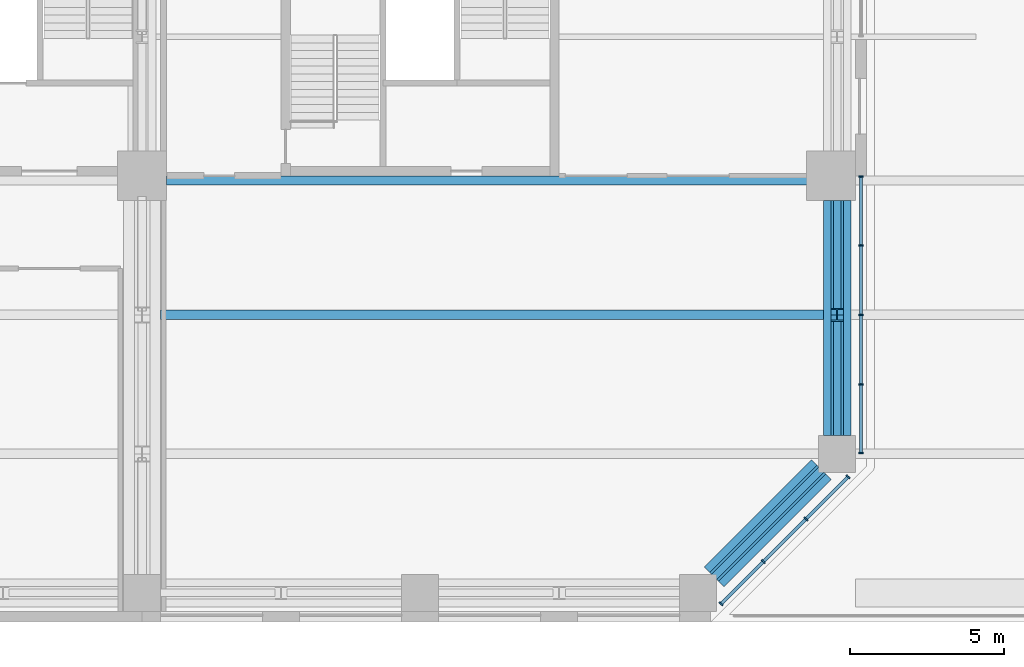
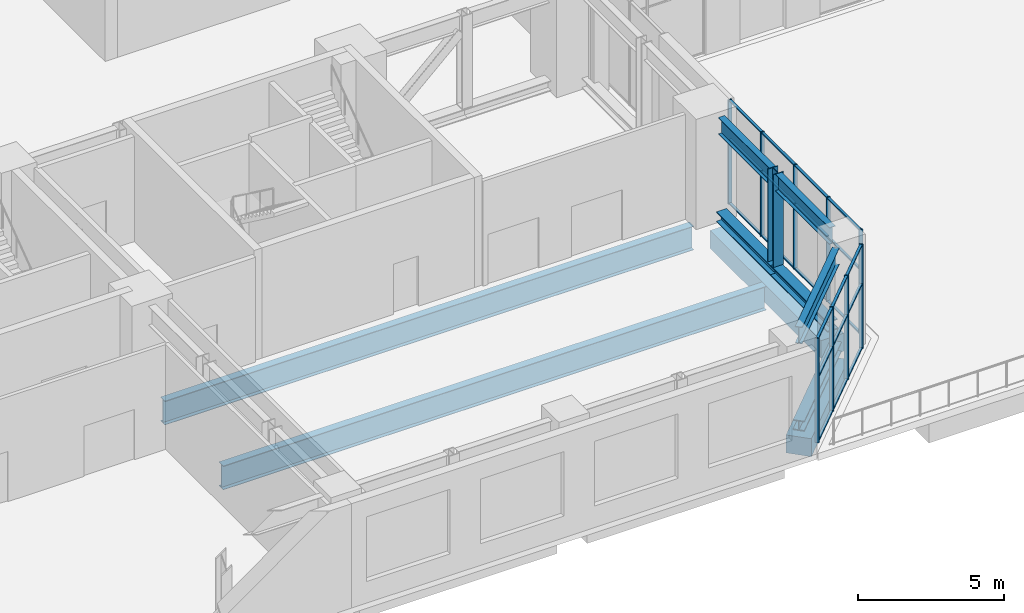
# One storey, part 4 of 21: 34 members, 7 beams, 2 elements without a shape of their own.
"""IFC4 building model written with IfcOpenShell, lengths in metres."""

import ifcopenshell
import ifcopenshell.guid

model = None  # the IFC model being written
_history = None  # IfcOwnerHistory: only IFC2X3 demands one
_inside = {}  # id of a spatial element -> (the spatial element, [elements in it])
_under = {}  # id of a project, library or spatial element -> (it, [spatial elements below it])
_declared = {}  # id of a project -> (the project, [libraries it declares])
_typed = {}  # id of a type object -> (the type object, [elements of that type])
_made_of = {}  # id of a material, layer set ... -> (it, [elements and type objects made of it])


def new_model(schema):
    """Start an empty IFC model of exactly this schema.

    Asked for "IFC4X3", IfcOpenShell would pick the latest addendum, in which some entities
    have other attributes; the version numbers below select the first issue.
    IFC2X3 requires an IfcOwnerHistory on every rooted entity: one is made here for all.
    """
    global model, _history
    if schema == "IFC4X3":
        model = ifcopenshell.file(schema_version=(4, 3, 0, 0))
    else:
        model = ifcopenshell.file(schema=schema)
    _inside.clear()
    _under.clear()
    _declared.clear()
    _typed.clear()
    _made_of.clear()
    _history = None
    if model.schema == "IFC2X3":
        org = make("IfcOrganization", Name="unknown")
        user = make(
            "IfcPersonAndOrganization",
            ThePerson=make("IfcPerson", FamilyName="unknown"),
            TheOrganization=org,
        )
        app = make(
            "IfcApplication",
            ApplicationDeveloper=org,
            Version="unknown",
            ApplicationFullName="unknown",
            ApplicationIdentifier="unknown",
        )
        _history = make(
            "IfcOwnerHistory",
            OwningUser=user,
            OwningApplication=app,
            ChangeAction="ADDED",
            CreationDate=0,
        )
    return model


def make(cls, **values):
    """One entity of the class cls with the attributes given. An attribute that is None is left unset."""
    return model.create_entity(
        cls, **{name: value for name, value in values.items() if value is not None}
    )


def rooted(cls, **values):
    """An entity with a GlobalId (a new one), such as an element, a storey or a relation."""
    return make(cls, GlobalId=ifcopenshell.guid.new(), OwnerHistory=_history, **values)


def si_unit(unit_type, name, prefix=None):
    """IfcSIUnit, for example si_unit("LENGTHUNIT", "METRE", prefix="MILLI")."""
    return make("IfcSIUnit", UnitType=unit_type, Prefix=prefix, Name=name)


def assignment(units):
    """IfcUnitAssignment: the units of a project."""
    return None if units is None else make("IfcUnitAssignment", Units=units)


def point(xyz):
    """IfcCartesianPoint."""
    return None if xyz is None else make("IfcCartesianPoint", Coordinates=xyz)


def direction(xyz):
    """IfcDirection."""
    return None if xyz is None else make("IfcDirection", DirectionRatios=xyz)


def frame(location, z_axis=None, x_axis=None):
    """IfcAxis2Placement3D, a coordinate frame: its origin and axes. An axis left out is left unset."""
    return make(
        "IfcAxis2Placement3D",
        Location=point(location),
        Axis=direction(z_axis),
        RefDirection=direction(x_axis),
    )


def frame_2d(location, x_axis=None):
    """IfcAxis2Placement2D, a coordinate frame in the plane: its origin and x axis."""
    return make(
        "IfcAxis2Placement2D", Location=point(location), RefDirection=direction(x_axis)
    )


def origin():
    """The frame at (0, 0, 0) with its axes left unset."""
    return frame((0.0, 0.0, 0.0))


def origin_2d():
    """The frame at (0, 0) in the plane with its x axis left unset."""
    return frame_2d((0.0, 0.0))


def place(relative_to, where):
    """IfcLocalPlacement: puts the frame where relative to a parent placement (None: the world)."""
    return make(
        "IfcLocalPlacement", PlacementRelTo=relative_to, RelativePlacement=where
    )


def context(
    kind, dimensions, precision=None, world=None, true_north=None, identifier=None
):
    """IfcGeometricRepresentationContext, for example the 3D "Model" context."""
    return make(
        "IfcGeometricRepresentationContext",
        ContextIdentifier=identifier,
        ContextType=kind,
        CoordinateSpaceDimension=dimensions,
        Precision=precision,
        WorldCoordinateSystem=world,
        TrueNorth=true_north,
    )


def subcontext(parent, identifier, kind, view, scale=None):
    """IfcGeometricRepresentationSubContext, for example "Body" below "Model"."""
    return make(
        "IfcGeometricRepresentationSubContext",
        ContextIdentifier=identifier,
        ContextType=kind,
        ParentContext=parent,
        TargetScale=scale,
        TargetView=view,
    )


def project(units=None, contexts=None):
    """IfcProject with its units and contexts."""
    return rooted(
        "IfcProject",
        Name="project",
        RepresentationContexts=contexts,
        UnitsInContext=assignment(units),
    )


def spatial(cls, under=None, at=None, **own):
    """A site, building, storey or space (cls), placed at a placement, below another one or the project."""
    s = rooted(cls, ObjectPlacement=at, **own)
    if under is not None:
        _under.setdefault(under.id(), (under, []))[1].append(s)
    return s


def profile(cls, at=None, kind="AREA", **sizes):
    """A parametric profile (cls). Its sizes go by their IFC names, for example OverallWidth=200.0."""
    return make(cls, ProfileType=kind, Position=at, **sizes)


def rectangle(**sizes):
    """IfcRectangleProfileDef."""
    return profile("IfcRectangleProfileDef", **sizes)


def i_section(**sizes):
    """IfcIShapeProfileDef."""
    return profile("IfcIShapeProfileDef", **sizes)


def extrude(swept, where, along, depth):
    """IfcExtrudedAreaSolid: the profile swept, set in the frame where, extruded along a direction by depth."""
    return make(
        "IfcExtrudedAreaSolid",
        SweptArea=swept,
        Position=where,
        ExtrudedDirection=direction(along),
        Depth=depth,
    )


def shape(context_of_items, identifier, shape_type, items):
    """IfcShapeRepresentation: the items that make up one representation, for example the "Body"."""
    return make(
        "IfcShapeRepresentation",
        ContextOfItems=context_of_items,
        RepresentationIdentifier=identifier,
        RepresentationType=shape_type,
        Items=items,
    )


def material(Name=None, Category=None):
    """IfcMaterial."""
    return make("IfcMaterial", Name=Name, Category=Category)


def constituent(of_material, Name=None, Category=None, fraction=None):
    """IfcMaterialConstituent: one of the materials an element consists of."""
    return make(
        "IfcMaterialConstituent",
        Name=Name,
        Material=of_material,
        Fraction=fraction,
        Category=Category,
    )


def constituent_set(constituents=None, Name=None):
    """IfcMaterialConstituentSet."""
    return make(
        "IfcMaterialConstituentSet", Name=Name, MaterialConstituents=constituents
    )


def material_profile(
    of_material, cross_section, Name=None, Category=None, Priority=None
):
    """IfcMaterialProfile: a cross section and its material."""
    return make(
        "IfcMaterialProfile",
        Name=Name,
        Material=of_material,
        Profile=cross_section,
        Priority=Priority,
        Category=Category,
    )


def profile_set(profiles, Name=None, composite=None):
    """IfcMaterialProfileSet."""
    return make(
        "IfcMaterialProfileSet",
        Name=Name,
        MaterialProfiles=profiles,
        CompositeProfile=composite,
    )


def made_of(thing, what):
    """Note that an element or type object is made of a material, layer set ...; save() writes the relation."""
    if what is not None:
        _made_of.setdefault(what.id(), (what, []))[1].append(thing)
    return thing


def type_object(cls, material=None, **own):
    """A type object (cls), such as IfcWallType, which elements share."""
    return made_of(rooted(cls, **own), material)


def element(
    cls,
    number,
    at=None,
    inside=None,
    cuts=None,
    type_object=None,
    material=None,
    context=None,
    identifier="Body",
    shape_type=None,
    held_by="IfcProductDefinitionShape",
    body=None,
    shapes=None,
    **own,
):
    """One element of the class cls, such as IfcWall. Its Tag is "e" and its number.

    at: its placement. inside: the storey or other place that contains it. cuts: it is an
    opening in that element (IfcRelVoidsElement). A single representation is given by context,
    identifier, shape_type and body (its items); several are given by shapes. held_by: the class
    of the entity that holds the representations. save() writes the other relations.
    """
    e = rooted(cls, Tag="e%d" % number, ObjectPlacement=at, **own)
    if body is not None:
        shapes = [shape(context, identifier, shape_type, body)]
    if shapes is not None:
        e.Representation = make(held_by, Representations=shapes)
    if inside is not None:
        _inside.setdefault(inside.id(), (inside, []))[1].append(e)
    if cuts is not None:
        rooted(
            "IfcRelVoidsElement", RelatingBuildingElement=cuts, RelatedOpeningElement=e
        )
    if type_object is not None:
        _typed.setdefault(type_object.id(), (type_object, []))[1].append(e)
    return made_of(e, material)


def aggregate(whole, parts):
    """IfcRelAggregates: a whole, such as a stair, and the parts it consists of."""
    return rooted("IfcRelAggregates", RelatingObject=whole, RelatedObjects=parts)


def save(model, path):
    """Write the relations noted so far, then the file.

    IfcRelAggregates (storeys below a building ...), IfcRelContainedInSpatialStructure (elements
    in a storey), IfcRelDefinesByType, IfcRelAssociatesMaterial and IfcRelDeclares: one each for
    every whole, place, type object, material and project.
    """
    for whole, parts in _under.values():
        aggregate(whole, parts)
    for where, things in _inside.values():
        rooted(
            "IfcRelContainedInSpatialStructure",
            RelatedElements=things,
            RelatingStructure=where,
        )
    for kind, things in _typed.values():
        rooted("IfcRelDefinesByType", RelatedObjects=things, RelatingType=kind)
    for what, things in _made_of.values():
        rooted("IfcRelAssociatesMaterial", RelatedObjects=things, RelatingMaterial=what)
    for by, libraries in _declared.values():
        rooted("IfcRelDeclares", RelatingContext=by, RelatedDefinitions=libraries)
    model.write(path)


model = new_model("IFC4")

# Units and contexts
model_context = context("Model", 3, precision=1e-05, world=origin(), true_north=direction((0.0, 1.0)))
body_context = subcontext(model_context, "Body", "Model", "MODEL_VIEW")
ifc_project = project(units=[si_unit("LENGTHUNIT", "METRE"), si_unit("AREAUNIT", "SQUARE_METRE"), si_unit("VOLUMEUNIT", "CUBIC_METRE"), si_unit("PLANEANGLEUNIT", "RADIAN"), si_unit("MASSUNIT", "GRAM", prefix="KILO")], contexts=[model_context])

# Site, building, storey
site_placement = place(None, origin())
site = spatial("IfcSite", under=ifc_project, at=site_placement, CompositionType="ELEMENT")
building_placement = place(site_placement, origin())
building = spatial("IfcBuilding", under=site, at=building_placement, Name="Quoin Convention Tower", CompositionType="ELEMENT")
storey_placement = place(building_placement, frame((0.0, 0.0, 18.5)))
storey = spatial("IfcBuildingStorey", under=building, at=storey_placement, Name="L03", CompositionType="ELEMENT", Elevation=18.5)

# Beams
ifc_material_1 = material(Name="Steel Grade 300", Category="steel")
ifc_material_profile_1 = material_profile(ifc_material_1, i_section(OverallWidth=0.300048828125, OverallDepth=1.0, WebThickness=0.01611328125, FlangeThickness=0.02001953125, at=origin_2d()), Name="1000WB215")
ifc_profile_set_1 = profile_set([ifc_material_profile_1], Name="Steel Grade 300")
beam_type_1 = type_object("IfcBeamType", Name="1000WB215", PredefinedType="BEAM", material=ifc_profile_set_1)
beam_1_placement = place(storey_placement, frame((36.60009765625, 27.0, -0.719970703125), z_axis=(1.0, 0.0, 0.0), x_axis=(0.0, 1.0, 0.0)))
element("IfcBeam", 1, at=beam_1_placement, inside=storey, type_object=beam_type_1, Name="gir-L03-ST3-2-0", PredefinedType="BEAM", context=body_context, shape_type="SweptSolid", body=[
    extrude(i_section(OverallWidth=0.300048828125, OverallDepth=1.0, WebThickness=0.01611328125, FlangeThickness=0.02001953125, at=origin_2d()), origin(), (0.0, 0.0, 1.0), 21.449951171875),
])
beam_2_placement = place(storey_placement, frame((36.800048828125, 31.35009765625, -0.719970703125), z_axis=(1.0, 0.0, 0.0), x_axis=(0.0, 1.0, 0.0)))
element("IfcBeam", 2, at=beam_2_placement, inside=storey, type_object=beam_type_1, Name="gir-L03-ST3-3-0", PredefinedType="BEAM", context=body_context, shape_type="SweptSolid", body=[
    extrude(i_section(OverallWidth=0.300048828125, OverallDepth=1.0, WebThickness=0.01611328125, FlangeThickness=0.02001953125, at=origin_2d()), origin(), (0.0, 0.0, 1.0), 20.89990234375),
])

# Members
ifc_material_profile_2 = material_profile(ifc_material_1, i_section(OverallWidth=0.39990234375, OverallDepth=0.422119140625, WebThickness=0.028076171875, FlangeThickness=0.035888671875, at=origin_2d()), Name="400WC303")
ifc_profile_set_2 = profile_set([ifc_material_profile_2], Name="Steel Grade 300")
member_type_1 = type_object("IfcMemberType", Name="400WC303", PredefinedType="CHORD", material=ifc_profile_set_2)
member_1_placement = place(storey_placement, frame((54.51513671875, 18.51513671875, 0.257080078125), z_axis=(0.707106781187, 0.707106781187, 0.0), x_axis=(-0.707106781187, 0.707106781187, 0.0)))
element("IfcMember", 3, at=member_1_placement, inside=storey, type_object=member_type_1, Name="Transfer girder L03 bottom chord 54000_18000-58500_22500", PredefinedType="CHORD", context=body_context, shape_type="SweptSolid", body=[
    extrude(i_section(OverallWidth=0.39990234375, OverallDepth=0.422119140625, WebThickness=0.028076171875, FlangeThickness=0.035888671875, at=origin_2d()), origin(), (0.0, 0.0, 1.0), 4.906982421875),
])
member_2_placement = place(storey_placement, frame((58.5, 23.10009765625, 0.257080078125), z_axis=(0.0, 1.0, 0.0), x_axis=(-1.0, 0.0, 0.0)))
element("IfcMember", 4, at=member_2_placement, inside=storey, type_object=member_type_1, Name="Transfer girder L03 bottom chord 58500_22500-58500_27000", PredefinedType="CHORD", context=body_context, shape_type="SweptSolid", body=[
    extrude(i_section(OverallWidth=0.39990234375, OverallDepth=0.422119140625, WebThickness=0.028076171875, FlangeThickness=0.035888671875, at=origin_2d()), origin(), (0.0, 0.0, 1.0), 3.89990234375),
])
member_3_placement = place(storey_placement, frame((58.5, 27.0, 0.257080078125), z_axis=(0.0, 1.0, 0.0), x_axis=(-1.0, 0.0, 0.0)))
element("IfcMember", 5, at=member_3_placement, inside=storey, type_object=member_type_1, Name="Transfer girder L03 bottom chord 58500_27000-58500_31500", PredefinedType="CHORD", context=body_context, shape_type="SweptSolid", body=[
    extrude(i_section(OverallWidth=0.39990234375, OverallDepth=0.422119140625, WebThickness=0.028076171875, FlangeThickness=0.035888671875, at=origin_2d()), origin(), (0.0, 0.0, 1.0), 3.699951171875),
])
ifc_material_profile_3 = material_profile(ifc_material_1, i_section(OverallWidth=0.39990234375, OverallDepth=0.422119140625, WebThickness=0.028076171875, FlangeThickness=0.035888671875, at=origin_2d()), Name="400WC303")
ifc_profile_set_3 = profile_set([ifc_material_profile_3], Name="Steel Grade 300")
member_type_2 = type_object("IfcMemberType", Name="400WC303 transfer post", PredefinedType="POST", material=ifc_profile_set_3)
member_4_placement = place(storey_placement, frame((58.5, 27.0, 0.513916015625), z_axis=(0.0, 0.0, 1.0), x_axis=(1.0, 0.0, 0.0)))
element("IfcMember", 6, at=member_4_placement, inside=storey, type_object=member_type_2, Name="Transfer girder L03 post 58500_27000", PredefinedType="POST", context=body_context, shape_type="SweptSolid", body=[
    extrude(i_section(OverallWidth=0.39990234375, OverallDepth=0.422119140625, WebThickness=0.028076171875, FlangeThickness=0.035888671875, at=origin_2d()), origin(), (0.0, 0.0, 1.0), 3.865966796875),
])

# Beams
ifc_material_profile_4 = material_profile(ifc_material_1, i_section(OverallWidth=0.25, OverallDepth=0.699951171875, WebThickness=0.010009765625, FlangeThickness=0.02001953125, at=origin_2d()), Name="700WB130")
ifc_profile_set_4 = profile_set([ifc_material_profile_4], Name="Steel Grade 300")
beam_type_2 = type_object("IfcBeamType", Name="700WB130", PredefinedType="BEAM", material=ifc_profile_set_4)
beam_3_placement = place(storey_placement, frame((54.51513671875, 18.51513671875, 4.030029296875), z_axis=(0.707106781187, 0.707106781187, 0.0), x_axis=(-0.707106781187, 0.707106781187, 0.0)))
element("IfcBeam", 7, at=beam_3_placement, inside=storey, type_object=beam_type_2, Name="Transfer girder L03 top chord 54000_18000-58500_22500", PredefinedType="BEAM", context=body_context, shape_type="SweptSolid", body=[
    extrude(i_section(OverallWidth=0.25, OverallDepth=0.699951171875, WebThickness=0.010009765625, FlangeThickness=0.02001953125, at=origin_2d()), origin(), (0.0, 0.0, 1.0), 4.906982421875),
])
beam_4_placement = place(storey_placement, frame((58.5, 23.10009765625, 4.030029296875), z_axis=(0.0, 1.0, 0.0), x_axis=(-1.0, 0.0, 0.0)))
element("IfcBeam", 8, at=beam_4_placement, inside=storey, type_object=beam_type_2, Name="Transfer girder L03 top chord 58500_22500-58500_27000", PredefinedType="BEAM", context=body_context, shape_type="SweptSolid", body=[
    extrude(i_section(OverallWidth=0.25, OverallDepth=0.699951171875, WebThickness=0.010009765625, FlangeThickness=0.02001953125, at=origin_2d()), origin(), (0.0, 0.0, 1.0), 3.699951171875),
])
beam_5_placement = place(storey_placement, frame((58.5, 27.199951171875, 4.030029296875), z_axis=(0.0, 1.0, 0.0), x_axis=(-1.0, 0.0, 0.0)))
element("IfcBeam", 9, at=beam_5_placement, inside=storey, type_object=beam_type_2, Name="Transfer girder L03 top chord 58500_27000-58500_31500", PredefinedType="BEAM", context=body_context, shape_type="SweptSolid", body=[
    extrude(i_section(OverallWidth=0.25, OverallDepth=0.699951171875, WebThickness=0.010009765625, FlangeThickness=0.02001953125, at=origin_2d()), origin(), (0.0, 0.0, 1.0), 3.5),
])
ifc_material_2 = material(Name="Concrete C80", Category="concrete")
ifc_material_profile_5 = material_profile(ifc_material_2, rectangle(XDim=0.89990234375, YDim=0.75, at=origin_2d()), Name="RC 900x750")
ifc_profile_set_5 = profile_set([ifc_material_profile_5], Name="Concrete C80")
beam_type_3 = type_object("IfcBeamType", Name="RC 900x750 C80", PredefinedType="SPANDREL", material=ifc_profile_set_5)
beam_6_placement = place(storey_placement, frame((54.51513671875, 18.51513671875, -0.594970703125), z_axis=(0.707106781187, 0.707106781187, 0.0), x_axis=(-0.707106781187, 0.707106781187, 0.0)))
element("IfcBeam", 10, at=beam_6_placement, inside=storey, type_object=beam_type_3, Name="spd-L03-54000_18000-58500_22500", PredefinedType="SPANDREL", context=body_context, shape_type="SweptSolid", body=[
    extrude(rectangle(XDim=0.89990234375, YDim=0.75, at=origin_2d()), origin(), (0.0, 0.0, 1.0), 4.906982421875),
])
beam_7_placement = place(storey_placement, frame((58.5, 23.10009765625, -0.594970703125), z_axis=(0.0, 1.0, 0.0), x_axis=(-1.0, 0.0, 0.0)))
element("IfcBeam", 11, at=beam_7_placement, inside=storey, type_object=beam_type_3, Name="spd-L03-58500_22500-58500_31500", PredefinedType="SPANDREL", context=body_context, shape_type="SweptSolid", body=[
    extrude(rectangle(XDim=0.89990234375, YDim=0.75, at=origin_2d()), origin(), (0.0, 0.0, 1.0), 7.599853515625),
])

# Curtain wall, members
ifc_material_3 = material(Name="Aluminium", Category="aluminium")
ifc_constituent_1 = constituent(ifc_material_3, Name="Frame")
ifc_material_4 = material(Name="Insulated glass", Category="glass")
ifc_constituent_2 = constituent(ifc_material_4, Name="Glazing")
ifc_constituent_set = constituent_set(constituents=[ifc_constituent_1, ifc_constituent_2], Name="Aluminium")
curtain_wall_type = type_object("IfcCurtainWallType", Name="Sky lobby glazing system", PredefinedType="NOTDEFINED", material=ifc_constituent_set)
curtain_wall_1_placement = place(storey_placement, origin())
curtain_wall_1 = element("IfcCurtainWall", 12, at=curtain_wall_1_placement, inside=storey, type_object=curtain_wall_type, Name="cw-SKY-L03-54548_17452", PredefinedType="NOTDEFINED")
ifc_material_profile_6 = material_profile(ifc_material_3, rectangle(XDim=0.14990234375, YDim=0.050048828125, at=origin_2d()), Name="Sky lobby glazing mullion 50x150")
ifc_profile_set_6 = profile_set([ifc_material_profile_6], Name="Aluminium")
member_type_3 = type_object("IfcMemberType", Name="Sky lobby glazing mullion 50x150", PredefinedType="MULLION", material=ifc_profile_set_6)
member_5_placement = place(storey_placement, frame((54.743408203125, 17.6474609375, 0.0), z_axis=(0.0, 0.0, 1.0), x_axis=(-0.707106781187, 0.707106781187, 0.0)))
member_5 = element("IfcMember", 13, at=member_5_placement, type_object=member_type_3, Name="CW3 mullion 1", PredefinedType="MULLION", context=body_context, shape_type="SweptSolid", body=[
    extrude(rectangle(XDim=0.14990234375, YDim=0.050048828125, at=origin_2d()), origin(), (0.0, 0.0, 1.0), 4.35498046875),
])
member_6_placement = place(storey_placement, frame((56.107666015625, 19.01171875, 0.0), z_axis=(0.0, 0.0, 1.0), x_axis=(-0.707106781187, 0.707106781187, 0.0)))
member_6 = element("IfcMember", 14, at=member_6_placement, type_object=member_type_3, Name="CW3 mullion 2", PredefinedType="MULLION", context=body_context, shape_type="SweptSolid", body=[
    extrude(rectangle(XDim=0.14990234375, YDim=0.050048828125, at=origin_2d()), origin(), (0.0, 0.0, 1.0), 4.35498046875),
])
member_7_placement = place(storey_placement, frame((57.489501953125, 20.393310546875, 0.0), z_axis=(0.0, 0.0, 1.0), x_axis=(-0.707106781187, 0.707106781187, 0.0)))
member_7 = element("IfcMember", 15, at=member_7_placement, type_object=member_type_3, Name="CW3 mullion 3", PredefinedType="MULLION", context=body_context, shape_type="SweptSolid", body=[
    extrude(rectangle(XDim=0.14990234375, YDim=0.050048828125, at=origin_2d()), origin(), (0.0, 0.0, 1.0), 4.35498046875),
])
member_8_placement = place(storey_placement, frame((58.853515625, 21.757568359375, 0.0), z_axis=(0.0, 0.0, 1.0), x_axis=(-0.707106781187, 0.707106781187, 0.0)))
member_8 = element("IfcMember", 16, at=member_8_placement, type_object=member_type_3, Name="CW3 mullion 4", PredefinedType="MULLION", context=body_context, shape_type="SweptSolid", body=[
    extrude(rectangle(XDim=0.14990234375, YDim=0.050048828125, at=origin_2d()), origin(), (0.0, 0.0, 1.0), 4.35498046875),
])

curtain_wall_2_placement = place(storey_placement, origin())
curtain_wall_2 = element("IfcCurtainWall", 17, at=curtain_wall_2_placement, inside=storey, type_object=curtain_wall_type, Name="cw-SKY-L03-59275_22500", PredefinedType="NOTDEFINED")
member_9_placement = place(storey_placement, frame((59.27490234375, 22.52490234375, 0.0), z_axis=(0.0, 0.0, 1.0), x_axis=(-1.0, 0.0, 0.0)))
member_9 = element("IfcMember", 18, at=member_9_placement, type_object=member_type_3, Name="CW3 mullion 1", PredefinedType="MULLION", context=body_context, shape_type="SweptSolid", body=[
    extrude(rectangle(XDim=0.14990234375, YDim=0.050048828125, at=origin_2d()), origin(), (0.0, 0.0, 1.0), 4.35498046875),
])
member_10_placement = place(storey_placement, frame((59.27490234375, 24.75, 0.0), z_axis=(0.0, 0.0, 1.0), x_axis=(-1.0, 0.0, 0.0)))
member_10 = element("IfcMember", 19, at=member_10_placement, type_object=member_type_3, Name="CW3 mullion 2", PredefinedType="MULLION", context=body_context, shape_type="SweptSolid", body=[
    extrude(rectangle(XDim=0.14990234375, YDim=0.050048828125, at=origin_2d()), origin(), (0.0, 0.0, 1.0), 4.35498046875),
])
member_11_placement = place(storey_placement, frame((59.27490234375, 27.0, 0.0), z_axis=(0.0, 0.0, 1.0), x_axis=(-1.0, 0.0, 0.0)))
member_11 = element("IfcMember", 20, at=member_11_placement, type_object=member_type_3, Name="CW3 mullion 3", PredefinedType="MULLION", context=body_context, shape_type="SweptSolid", body=[
    extrude(rectangle(XDim=0.14990234375, YDim=0.050048828125, at=origin_2d()), origin(), (0.0, 0.0, 1.0), 4.35498046875),
])
member_12_placement = place(storey_placement, frame((59.27490234375, 29.25, 0.0), z_axis=(0.0, 0.0, 1.0), x_axis=(-1.0, 0.0, 0.0)))
member_12 = element("IfcMember", 21, at=member_12_placement, type_object=member_type_3, Name="CW3 mullion 4", PredefinedType="MULLION", context=body_context, shape_type="SweptSolid", body=[
    extrude(rectangle(XDim=0.14990234375, YDim=0.050048828125, at=origin_2d()), origin(), (0.0, 0.0, 1.0), 4.35498046875),
])
member_13_placement = place(storey_placement, frame((59.27490234375, 31.47509765625, 0.0), z_axis=(0.0, 0.0, 1.0), x_axis=(-1.0, 0.0, 0.0)))
member_13 = element("IfcMember", 22, at=member_13_placement, type_object=member_type_3, Name="CW3 mullion 5", PredefinedType="MULLION", context=body_context, shape_type="SweptSolid", body=[
    extrude(rectangle(XDim=0.14990234375, YDim=0.050048828125, at=origin_2d()), origin(), (0.0, 0.0, 1.0), 4.35498046875),
])

# Member
ifc_material_profile_7 = material_profile(ifc_material_3, rectangle(XDim=0.10009765625, YDim=0.050048828125, at=origin_2d()), Name="Sky lobby glazing transom 50x100")
ifc_profile_set_7 = profile_set([ifc_material_profile_7], Name="Aluminium")
member_type_4 = type_object("IfcMemberType", Name="Sky lobby glazing transom 50x100", PredefinedType="USERDEFINED", material=ifc_profile_set_7)
member_14_placement = place(storey_placement, frame((54.76123046875, 17.6650390625, 0.02490234375), z_axis=(0.707041816624, 0.707171739781, 0.0), x_axis=(-0.707171739781, 0.707041816624, 0.0)))
member_14 = element("IfcMember", 23, at=member_14_placement, type_object=member_type_4, Name="CW3 transom 1.1", ObjectType="TRANSOM", PredefinedType="USERDEFINED", context=body_context, shape_type="SweptSolid", body=[
    extrude(rectangle(XDim=0.10009765625, YDim=0.050048828125, at=origin_2d()), origin(), (0.0, 0.0, 1.0), 1.879150390625),
])

member_15_placement = place(storey_placement, frame((54.76123046875, 17.6650390625, 2.699951171875), z_axis=(0.707041816624, 0.707171739781, 0.0), x_axis=(-0.707171739781, 0.707041816624, 0.0)))
member_15 = element("IfcMember", 24, at=member_15_placement, type_object=member_type_4, Name="CW3 transom 1.2", ObjectType="TRANSOM", PredefinedType="USERDEFINED", context=body_context, shape_type="SweptSolid", body=[
    extrude(rectangle(XDim=0.10009765625, YDim=0.050048828125, at=origin_2d()), origin(), (0.0, 0.0, 1.0), 1.879150390625),
])

member_16_placement = place(storey_placement, frame((54.76123046875, 17.6650390625, 4.330078125), z_axis=(0.707041816624, 0.707171739781, 0.0), x_axis=(-0.707171739781, 0.707041816624, 0.0)))
member_16 = element("IfcMember", 25, at=member_16_placement, type_object=member_type_4, Name="CW3 transom 1.3", ObjectType="TRANSOM", PredefinedType="USERDEFINED", context=body_context, shape_type="SweptSolid", body=[
    extrude(rectangle(XDim=0.10009765625, YDim=0.050048828125, at=origin_2d()), origin(), (0.0, 0.0, 1.0), 1.879150390625),
])

member_17_placement = place(storey_placement, frame((56.125244140625, 19.029296875, 0.02490234375), z_axis=(0.707106781187, 0.707106781187, 0.0), x_axis=(-0.707106781187, 0.707106781187, 0.0)))
member_17 = element("IfcMember", 26, at=member_17_placement, type_object=member_type_4, Name="CW3 transom 2.1", ObjectType="TRANSOM", PredefinedType="USERDEFINED", context=body_context, shape_type="SweptSolid", body=[
    extrude(rectangle(XDim=0.10009765625, YDim=0.050048828125, at=origin_2d()), origin(), (0.0, 0.0, 1.0), 1.904052734375),
])

member_18_placement = place(storey_placement, frame((56.125244140625, 19.029296875, 2.699951171875), z_axis=(0.707106781187, 0.707106781187, 0.0), x_axis=(-0.707106781187, 0.707106781187, 0.0)))
member_18 = element("IfcMember", 27, at=member_18_placement, type_object=member_type_4, Name="CW3 transom 2.2", ObjectType="TRANSOM", PredefinedType="USERDEFINED", context=body_context, shape_type="SweptSolid", body=[
    extrude(rectangle(XDim=0.10009765625, YDim=0.050048828125, at=origin_2d()), origin(), (0.0, 0.0, 1.0), 1.904052734375),
])

member_19_placement = place(storey_placement, frame((56.125244140625, 19.029296875, 4.330078125), z_axis=(0.707106781187, 0.707106781187, 0.0), x_axis=(-0.707106781187, 0.707106781187, 0.0)))
member_19 = element("IfcMember", 28, at=member_19_placement, type_object=member_type_4, Name="CW3 transom 2.3", ObjectType="TRANSOM", PredefinedType="USERDEFINED", context=body_context, shape_type="SweptSolid", body=[
    extrude(rectangle(XDim=0.10009765625, YDim=0.050048828125, at=origin_2d()), origin(), (0.0, 0.0, 1.0), 1.904052734375),
])

member_20_placement = place(storey_placement, frame((57.507080078125, 20.4111328125, 0.02490234375), z_axis=(0.707171739781, 0.707041816624, 0.0), x_axis=(-0.707041816624, 0.707171739781, 0.0)))
member_20 = element("IfcMember", 29, at=member_20_placement, type_object=member_type_4, Name="CW3 transom 3.1", ObjectType="TRANSOM", PredefinedType="USERDEFINED", context=body_context, shape_type="SweptSolid", body=[
    extrude(rectangle(XDim=0.10009765625, YDim=0.050048828125, at=origin_2d()), origin(), (0.0, 0.0, 1.0), 1.879150390625),
])

member_21_placement = place(storey_placement, frame((57.507080078125, 20.4111328125, 2.699951171875), z_axis=(0.707171739781, 0.707041816624, 0.0), x_axis=(-0.707041816624, 0.707171739781, 0.0)))
member_21 = element("IfcMember", 30, at=member_21_placement, type_object=member_type_4, Name="CW3 transom 3.2", ObjectType="TRANSOM", PredefinedType="USERDEFINED", context=body_context, shape_type="SweptSolid", body=[
    extrude(rectangle(XDim=0.10009765625, YDim=0.050048828125, at=origin_2d()), origin(), (0.0, 0.0, 1.0), 1.879150390625),
])

member_22_placement = place(storey_placement, frame((57.507080078125, 20.4111328125, 4.330078125), z_axis=(0.707171739781, 0.707041816624, 0.0), x_axis=(-0.707041816624, 0.707171739781, 0.0)))
member_22 = element("IfcMember", 31, at=member_22_placement, type_object=member_type_4, Name="CW3 transom 3.3", ObjectType="TRANSOM", PredefinedType="USERDEFINED", context=body_context, shape_type="SweptSolid", body=[
    extrude(rectangle(XDim=0.10009765625, YDim=0.050048828125, at=origin_2d()), origin(), (0.0, 0.0, 1.0), 1.879150390625),
])

aggregate(curtain_wall_1, [member_5, member_6, member_7, member_8, member_14, member_15, member_16, member_17, member_18, member_19, member_20, member_21, member_22])

member_23_placement = place(storey_placement, frame((59.27490234375, 22.550048828125, 0.02490234375), z_axis=(0.0, 1.0, 0.0), x_axis=(-1.0, 0.0, 0.0)))
member_23 = element("IfcMember", 32, at=member_23_placement, type_object=member_type_4, Name="CW3 transom 1.1", ObjectType="TRANSOM", PredefinedType="USERDEFINED", context=body_context, shape_type="SweptSolid", body=[
    extrude(rectangle(XDim=0.10009765625, YDim=0.050048828125, at=origin_2d()), origin(), (0.0, 0.0, 1.0), 2.175048828125),
])

member_24_placement = place(storey_placement, frame((59.27490234375, 22.550048828125, 2.699951171875), z_axis=(0.0, 1.0, 0.0), x_axis=(-1.0, 0.0, 0.0)))
member_24 = element("IfcMember", 33, at=member_24_placement, type_object=member_type_4, Name="CW3 transom 1.2", ObjectType="TRANSOM", PredefinedType="USERDEFINED", context=body_context, shape_type="SweptSolid", body=[
    extrude(rectangle(XDim=0.10009765625, YDim=0.050048828125, at=origin_2d()), origin(), (0.0, 0.0, 1.0), 2.175048828125),
])

member_25_placement = place(storey_placement, frame((59.27490234375, 22.550048828125, 4.330078125), z_axis=(0.0, 1.0, 0.0), x_axis=(-1.0, 0.0, 0.0)))
member_25 = element("IfcMember", 34, at=member_25_placement, type_object=member_type_4, Name="CW3 transom 1.3", ObjectType="TRANSOM", PredefinedType="USERDEFINED", context=body_context, shape_type="SweptSolid", body=[
    extrude(rectangle(XDim=0.10009765625, YDim=0.050048828125, at=origin_2d()), origin(), (0.0, 0.0, 1.0), 2.175048828125),
])

member_26_placement = place(storey_placement, frame((59.27490234375, 24.77490234375, 0.02490234375), z_axis=(0.0, 1.0, 0.0), x_axis=(-1.0, 0.0, 0.0)))
member_26 = element("IfcMember", 35, at=member_26_placement, type_object=member_type_4, Name="CW3 transom 2.1", ObjectType="TRANSOM", PredefinedType="USERDEFINED", context=body_context, shape_type="SweptSolid", body=[
    extrude(rectangle(XDim=0.10009765625, YDim=0.050048828125, at=origin_2d()), origin(), (0.0, 0.0, 1.0), 2.2001953125),
])

member_27_placement = place(storey_placement, frame((59.27490234375, 24.77490234375, 2.699951171875), z_axis=(0.0, 1.0, 0.0), x_axis=(-1.0, 0.0, 0.0)))
member_27 = element("IfcMember", 36, at=member_27_placement, type_object=member_type_4, Name="CW3 transom 2.2", ObjectType="TRANSOM", PredefinedType="USERDEFINED", context=body_context, shape_type="SweptSolid", body=[
    extrude(rectangle(XDim=0.10009765625, YDim=0.050048828125, at=origin_2d()), origin(), (0.0, 0.0, 1.0), 2.2001953125),
])

member_28_placement = place(storey_placement, frame((59.27490234375, 24.77490234375, 4.330078125), z_axis=(0.0, 1.0, 0.0), x_axis=(-1.0, 0.0, 0.0)))
member_28 = element("IfcMember", 37, at=member_28_placement, type_object=member_type_4, Name="CW3 transom 2.3", ObjectType="TRANSOM", PredefinedType="USERDEFINED", context=body_context, shape_type="SweptSolid", body=[
    extrude(rectangle(XDim=0.10009765625, YDim=0.050048828125, at=origin_2d()), origin(), (0.0, 0.0, 1.0), 2.2001953125),
])

member_29_placement = place(storey_placement, frame((59.27490234375, 27.02490234375, 0.02490234375), z_axis=(0.0, 1.0, 0.0), x_axis=(-1.0, 0.0, 0.0)))
member_29 = element("IfcMember", 38, at=member_29_placement, type_object=member_type_4, Name="CW3 transom 3.1", ObjectType="TRANSOM", PredefinedType="USERDEFINED", context=body_context, shape_type="SweptSolid", body=[
    extrude(rectangle(XDim=0.10009765625, YDim=0.050048828125, at=origin_2d()), origin(), (0.0, 0.0, 1.0), 2.2001953125),
])

member_30_placement = place(storey_placement, frame((59.27490234375, 27.02490234375, 2.699951171875), z_axis=(0.0, 1.0, 0.0), x_axis=(-1.0, 0.0, 0.0)))
member_30 = element("IfcMember", 39, at=member_30_placement, type_object=member_type_4, Name="CW3 transom 3.2", ObjectType="TRANSOM", PredefinedType="USERDEFINED", context=body_context, shape_type="SweptSolid", body=[
    extrude(rectangle(XDim=0.10009765625, YDim=0.050048828125, at=origin_2d()), origin(), (0.0, 0.0, 1.0), 2.2001953125),
])

member_31_placement = place(storey_placement, frame((59.27490234375, 27.02490234375, 4.330078125), z_axis=(0.0, 1.0, 0.0), x_axis=(-1.0, 0.0, 0.0)))
member_31 = element("IfcMember", 40, at=member_31_placement, type_object=member_type_4, Name="CW3 transom 3.3", ObjectType="TRANSOM", PredefinedType="USERDEFINED", context=body_context, shape_type="SweptSolid", body=[
    extrude(rectangle(XDim=0.10009765625, YDim=0.050048828125, at=origin_2d()), origin(), (0.0, 0.0, 1.0), 2.2001953125),
])

member_32_placement = place(storey_placement, frame((59.27490234375, 29.27490234375, 0.02490234375), z_axis=(0.0, 1.0, 0.0), x_axis=(-1.0, 0.0, 0.0)))
member_32 = element("IfcMember", 41, at=member_32_placement, type_object=member_type_4, Name="CW3 transom 4.1", ObjectType="TRANSOM", PredefinedType="USERDEFINED", context=body_context, shape_type="SweptSolid", body=[
    extrude(rectangle(XDim=0.10009765625, YDim=0.050048828125, at=origin_2d()), origin(), (0.0, 0.0, 1.0), 2.175048828125),
])

member_33_placement = place(storey_placement, frame((59.27490234375, 29.27490234375, 2.699951171875), z_axis=(0.0, 1.0, 0.0), x_axis=(-1.0, 0.0, 0.0)))
member_33 = element("IfcMember", 42, at=member_33_placement, type_object=member_type_4, Name="CW3 transom 4.2", ObjectType="TRANSOM", PredefinedType="USERDEFINED", context=body_context, shape_type="SweptSolid", body=[
    extrude(rectangle(XDim=0.10009765625, YDim=0.050048828125, at=origin_2d()), origin(), (0.0, 0.0, 1.0), 2.175048828125),
])

member_34_placement = place(storey_placement, frame((59.27490234375, 29.27490234375, 4.330078125), z_axis=(0.0, 1.0, 0.0), x_axis=(-1.0, 0.0, 0.0)))
member_34 = element("IfcMember", 43, at=member_34_placement, type_object=member_type_4, Name="CW3 transom 4.3", ObjectType="TRANSOM", PredefinedType="USERDEFINED", context=body_context, shape_type="SweptSolid", body=[
    extrude(rectangle(XDim=0.10009765625, YDim=0.050048828125, at=origin_2d()), origin(), (0.0, 0.0, 1.0), 2.175048828125),
])

aggregate(curtain_wall_2, [member_9, member_10, member_11, member_12, member_13, member_23, member_24, member_25, member_26, member_27, member_28, member_29, member_30, member_31, member_32, member_33, member_34])

save(model, "model.ifc")
